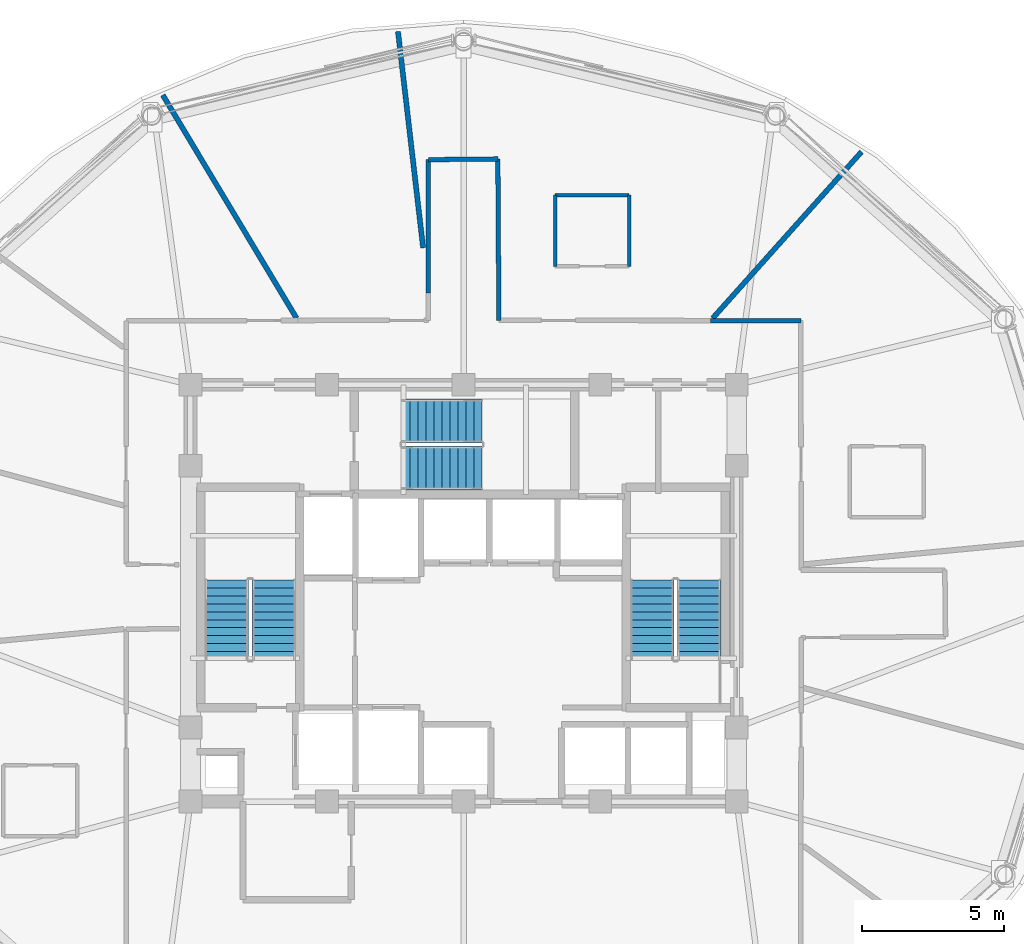
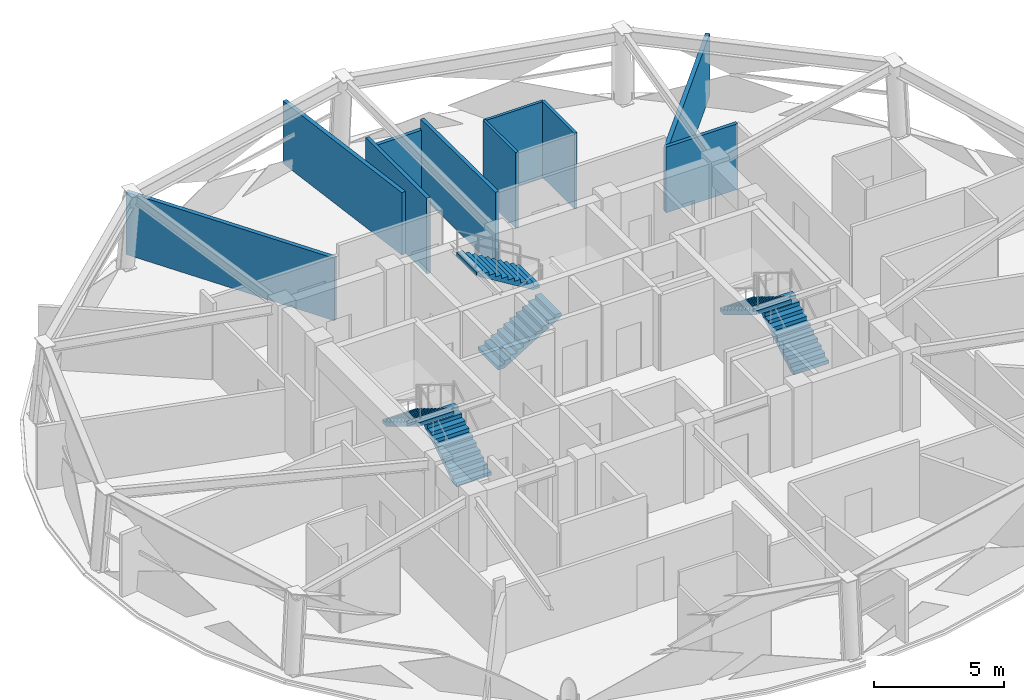
# One storey, part 7 of 11: 10 walls, 6 stair flights, 3 elements without a shape of their own.
"""IFC4 building model written with IfcOpenShell, lengths in metres."""

from ifc_helpers import new_model, si_unit, direction, frame, frame_2d, origin, place, context, subcontext, project, spatial, polyline, rectangle, outline, extrude, material, layer, layer_set, type_object, element, aggregate, save


model = new_model("IFC4")

# Units and contexts
model_context = context("Model", 3, precision=1e-05, world=origin(), true_north=direction((0.0, 1.0)))
body_context = subcontext(model_context, "Body", "Model", "MODEL_VIEW")
ifc_project = project(units=[si_unit("LENGTHUNIT", "METRE"), si_unit("AREAUNIT", "SQUARE_METRE"), si_unit("VOLUMEUNIT", "CUBIC_METRE"), si_unit("PLANEANGLEUNIT", "RADIAN"), si_unit("MASSUNIT", "GRAM", prefix="KILO")], contexts=[model_context])

# Site, building, storey
site_placement = place(None, origin())
site = spatial("IfcSite", under=ifc_project, at=site_placement, CompositionType="ELEMENT")
building_placement = place(site_placement, origin())
building = spatial("IfcBuilding", under=site, at=building_placement, Name="Vantalir Tower", CompositionType="ELEMENT")
storey_placement = place(building_placement, frame((0.0, 0.0, 231.14990234375)))
storey = spatial("IfcBuildingStorey", under=building, at=storey_placement, Name="L58", CompositionType="ELEMENT", Elevation=231.14990234375)

# Walls
ifc_material_1 = material(Name="Moisture-resistant en-suite partition", Category="gypsum")
ifc_layer_1 = layer(ifc_material_1, 0.125)
ifc_layer_set_1 = layer_set([ifc_layer_1], Name="Moisture-resistant en-suite partition")
wall_type_1 = type_object("IfcWallType", Name="WL-BATH-125", PredefinedType="PARTITIONING", material=ifc_layer_set_1)
wall_1_placement = place(storey_placement, frame((34.720947265625, 39.114990234375, 0.0), z_axis=(0.0, 0.0, 1.0), x_axis=(1.0, 0.0, 0.0)))
element("IfcWall", 1, at=wall_1_placement, inside=storey, type_object=wall_type_1, Name="L58 En-suite 02 North Wall", PredefinedType="PARTITIONING", context=body_context, shape_type="SweptSolid", body=[
    extrude(rectangle(XDim=2.60009765625, YDim=0.125, at=frame_2d((1.300048828125, 0.0))), origin(), (0.0, 0.0, 1.0), 3.550048828125),
])
for number, where, z_axis, x_axis, name in (
    (2, (34.720947265625, 36.614990234375, 0.0), (0.0, 0.0, 1.0), (0.0, 1.0, 0.0), "L58 En-suite 02 West Wall"),
    (3, (37.321044921875, 36.614990234375, 0.0), (0.0, 0.0, 1.0), (0.0, 1.0, 0.0), "L58 En-suite 02 East Wall"),
):
    element("IfcWall", number, at=place(storey_placement, frame(where, z_axis=z_axis, x_axis=x_axis)), inside=storey, type_object=wall_type_1, Name=name, PredefinedType="PARTITIONING", context=body_context, shape_type="SweptSolid", body=[
        extrude(rectangle(XDim=2.5, YDim=0.125, at=frame_2d((1.25, 0.0))), origin(), (0.0, 0.0, 1.0), 3.550048828125),
    ])
ifc_material_2 = material(Name="Fire-rated hotel corridor acoustic partition", Category="gypsum")
ifc_layer_2 = layer(ifc_material_2, 0.159912109375)
ifc_layer_set_2 = layer_set([ifc_layer_2], Name="Fire-rated hotel corridor acoustic partition")
wall_type_2 = type_object("IfcWallType", Name="WL-CORR-160", PredefinedType="PARTITIONING", material=ifc_layer_set_2)
wall_2_placement = place(storey_placement, frame((30.260986328125, 35.677978515625, 0.0), z_axis=(0.0, 0.0, 1.0), x_axis=(0.000417057622, 0.999999913031, 0.0)))
element("IfcWall", 4, at=wall_2_placement, inside=storey, type_object=wall_type_2, Name="L58 Corridor Partition 08", PredefinedType="PARTITIONING", context=body_context, shape_type="SweptSolid", body=[
    extrude(rectangle(XDim=4.68310546875, YDim=0.159912109375, at=frame_2d((2.341552734375, 0.0))), origin(), (0.0, 0.0, 1.0), 3.550048828125),
])
wall_3_placement = place(storey_placement, frame((30.262939453125, 40.361083984375, 0.0), z_axis=(0.0, 0.0, 1.0), x_axis=(0.999947973655, 0.01020048938, 0.0)))
element("IfcWall", 5, at=wall_3_placement, inside=storey, type_object=wall_type_2, Name="L58 Corridor Partition 09", PredefinedType="PARTITIONING", context=body_context, shape_type="SweptSolid", body=[
    extrude(rectangle(XDim=2.44140625, YDim=0.159912109375, at=frame_2d((1.220703125, 0.0))), origin(), (0.0, 0.0, 1.0), 3.0810546875),
])
wall_4_placement = place(storey_placement, frame((32.7041015625, 40.385986328125, 0.0), z_axis=(0.0, 0.0, 1.0), x_axis=(0.00632844224, -0.999979975209, 0.0)))
element("IfcWall", 6, at=wall_4_placement, inside=storey, type_object=wall_type_2, Name="L58 Corridor Partition 10", PredefinedType="PARTITIONING", context=body_context, shape_type="SweptSolid", body=[
    extrude(rectangle(XDim=5.6708984375, YDim=0.159912109375, at=frame_2d((2.83544921875, 0.0))), origin(), (0.0, 0.0, 1.0), 3.550048828125),
])
wall_5_placement = place(storey_placement, frame((40.180908203125, 34.70703125, 0.0), z_axis=(0.0, 0.0, 1.0), x_axis=(0.99999914405, -0.001308395709, 0.0)))
element("IfcWall", 7, at=wall_5_placement, inside=storey, type_object=wall_type_2, Name="L58 Corridor Partition 12", PredefinedType="PARTITIONING", context=body_context, shape_type="SweptSolid", body=[
    extrude(rectangle(XDim=3.172119140625, YDim=0.159912109375, at=frame_2d((1.5859375, 0.0))), origin(), (0.0, 0.0, 1.0), 3.0810546875),
])
ifc_material_3 = material(Name="Twin-stud acoustic fire-rated gypsum partition", Category="gypsum")
ifc_layer_3 = layer(ifc_material_3, 0.179931640625)
ifc_layer_set_3 = layer_set([ifc_layer_3], Name="Twin-stud acoustic fire-rated gypsum partition")
wall_type_3 = type_object("IfcWallType", Name="WL-GUEST-180", PredefinedType="PARTITIONING", material=ifc_layer_set_3)
wall_6_placement = place(storey_placement, frame((40.2548828125, 34.7900390625, 0.0), z_axis=(0.0, 0.0, 1.0), x_axis=(0.666714816624, 0.745312923069, 0.0)))
element("IfcWall", 8, at=wall_6_placement, inside=storey, type_object=wall_type_3, Name="L58 Radial Suite Partition 02", PredefinedType="PARTITIONING", context=body_context, shape_type="SweptSolid", body=[
    extrude(rectangle(XDim=7.84619140625, YDim=0.179931640625, at=frame_2d((3.923095703125, 0.0))), origin(), (0.0, 0.0, 1.0), 2.925048828125),
])
wall_7_placement = place(storey_placement, frame((30.076904296875, 37.261962890625, 0.0), z_axis=(0.0, 0.0, 1.0), x_axis=(-0.115323762026, 0.993327956876, 0.0)))
element("IfcWall", 9, at=wall_7_placement, inside=storey, type_object=wall_type_3, Name="L58 Radial Suite Partition 03", PredefinedType="PARTITIONING", context=body_context, shape_type="SweptSolid", body=[
    extrude(rectangle(XDim=7.655029296875, YDim=0.179931640625, at=frame_2d((3.82763671875, 0.0))), origin(), (0.0, 0.0, 1.0), 2.925048828125),
])
wall_8_placement = place(storey_placement, frame((25.62890625, 34.7900390625, 0.0), z_axis=(0.0, 0.0, 1.0), x_axis=(-0.514260176144, 0.85763422928, 0.0)))
element("IfcWall", 10, at=wall_8_placement, inside=storey, type_object=wall_type_3, Name="L58 Radial Suite Partition 04", PredefinedType="PARTITIONING", context=body_context, shape_type="SweptSolid", body=[
    extrude(rectangle(XDim=9.14501953125, YDim=0.179931640625, at=frame_2d((4.572509765625, 0.0))), origin(), (0.0, 0.0, 1.0), 2.925048828125),
])

# Stair, stair flights
ifc_material_4 = material(Name="Concrete C40/50", Category="concrete")
stair_type = type_object("IfcStairType", Name="STR-CORE-1450", PredefinedType="HALF_TURN_STAIR", material=ifc_material_4)
stair_1_placement = place(storey_placement, origin())
stair_1 = element("IfcStair", 11, at=stair_1_placement, inside=storey, type_object=stair_type, Name="L58 Core Exit Stair 1", PredefinedType="HALF_TURN_STAIR")
stair_flight_type = type_object("IfcStairFlightType", Name="FLT-CORE-1450", PredefinedType="STRAIGHT", material=ifc_material_4)
stair_flight_1_placement = place(storey_placement, frame((24.830078125, 22.7900390625, 0.0), z_axis=(0.0, 0.0, 1.0), x_axis=(0.0, 1.0, 0.0)))
stair_flight_1 = element("IfcStairFlight", 12, at=stair_flight_1_placement, type_object=stair_flight_type, Name="ST1 flight 1", NumberOfRisers=11, NumberOfTreads=10, PredefinedType="STRAIGHT", RiserHeight=0.170454545, TreadLength=0.28, context=body_context, shape_type="SweptSolid", body=[
    extrude(outline(polyline([(0.0, 0.0), (0.0, 0.17041015625), (0.280029296875, 0.17041015625), (0.280029296875, 0.3408203125), (0.56005859375, 0.3408203125), (0.56005859375, 0.511474609375), (0.840087890625, 0.511474609375), (0.840087890625, 0.681884765625), (1.1201171875, 0.681884765625), (1.1201171875, 0.852294921875), (1.39990234375, 0.852294921875), (1.39990234375, 1.022705078125), (1.679931640625, 1.022705078125), (1.679931640625, 1.193115234375), (1.9599609375, 1.193115234375), (1.9599609375, 1.363525390625), (2.239990234375, 1.363525390625), (2.239990234375, 1.5341796875), (2.52001953125, 1.5341796875), (2.52001953125, 1.70458984375), (2.800048828125, 1.70458984375), (2.800048828125, 1.875), (2.800048828125, 1.529052734375), (0.288330078125, 0.0), (0.0, 0.0)])), frame((0.0, 0.77001953125, 0.0), z_axis=(0.0, -1.0, 0.0), x_axis=(1.0, 0.0, 0.0)), (0.0, 0.0, 1.0), 1.5400390625),
])
stair_flight_2_placement = place(storey_placement, frame((23.169921875, 25.590087890625, 1.875), z_axis=(0.0, 0.0, 1.0), x_axis=(0.0, -1.0, 0.0)))
stair_flight_2 = element("IfcStairFlight", 13, at=stair_flight_2_placement, type_object=stair_flight_type, Name="ST1 flight 2", NumberOfRisers=11, NumberOfTreads=10, PredefinedType="STRAIGHT", RiserHeight=0.170454545, TreadLength=0.28, context=body_context, shape_type="SweptSolid", body=[
    extrude(outline(polyline([(0.0, 0.0), (0.0, 0.17041015625), (0.280029296875, 0.17041015625), (0.280029296875, 0.3408203125), (0.56005859375, 0.3408203125), (0.56005859375, 0.511474609375), (0.840087890625, 0.511474609375), (0.840087890625, 0.681884765625), (1.1201171875, 0.681884765625), (1.1201171875, 0.852294921875), (1.39990234375, 0.852294921875), (1.39990234375, 1.022705078125), (1.679931640625, 1.022705078125), (1.679931640625, 1.193115234375), (1.9599609375, 1.193115234375), (1.9599609375, 1.363525390625), (2.239990234375, 1.363525390625), (2.239990234375, 1.5341796875), (2.52001953125, 1.5341796875), (2.52001953125, 1.70458984375), (2.800048828125, 1.70458984375), (2.800048828125, 1.875), (2.800048828125, 1.529052734375), (0.288330078125, 0.0), (0.0, 0.0)])), frame((0.0, 0.77001953125, 0.0), z_axis=(0.0, -1.0, 0.0), x_axis=(1.0, 0.0, 0.0)), (0.0, 0.0, 1.0), 1.5400390625),
])
aggregate(stair_1, [stair_flight_1, stair_flight_2])

stair_2_placement = place(storey_placement, origin())
stair_2 = element("IfcStair", 14, at=stair_2_placement, inside=storey, type_object=stair_type, Name="L58 Core Exit Stair 2", PredefinedType="HALF_TURN_STAIR")
stair_flight_3_placement = place(storey_placement, frame((39.780029296875, 22.7900390625, 0.0), z_axis=(0.0, 0.0, 1.0), x_axis=(0.0, 1.0, 0.0)))
stair_flight_3 = element("IfcStairFlight", 15, at=stair_flight_3_placement, type_object=stair_flight_type, Name="ST2 flight 1", NumberOfRisers=11, NumberOfTreads=10, PredefinedType="STRAIGHT", RiserHeight=0.170454545, TreadLength=0.28, context=body_context, shape_type="SweptSolid", body=[
    extrude(outline(polyline([(0.0, 0.0), (0.0, 0.17041015625), (0.280029296875, 0.17041015625), (0.280029296875, 0.3408203125), (0.56005859375, 0.3408203125), (0.56005859375, 0.511474609375), (0.840087890625, 0.511474609375), (0.840087890625, 0.681884765625), (1.1201171875, 0.681884765625), (1.1201171875, 0.852294921875), (1.39990234375, 0.852294921875), (1.39990234375, 1.022705078125), (1.679931640625, 1.022705078125), (1.679931640625, 1.193115234375), (1.9599609375, 1.193115234375), (1.9599609375, 1.363525390625), (2.239990234375, 1.363525390625), (2.239990234375, 1.5341796875), (2.52001953125, 1.5341796875), (2.52001953125, 1.70458984375), (2.800048828125, 1.70458984375), (2.800048828125, 1.875), (2.800048828125, 1.529052734375), (0.288330078125, 0.0), (0.0, 0.0)])), frame((0.0, 0.77001953125, 0.0), z_axis=(0.0, -1.0, 0.0), x_axis=(1.0, 0.0, 0.0)), (0.0, 0.0, 1.0), 1.5400390625),
])
stair_flight_4_placement = place(storey_placement, frame((38.1201171875, 25.590087890625, 1.875), z_axis=(0.0, 0.0, 1.0), x_axis=(0.0, -1.0, 0.0)))
stair_flight_4 = element("IfcStairFlight", 16, at=stair_flight_4_placement, type_object=stair_flight_type, Name="ST2 flight 2", NumberOfRisers=11, NumberOfTreads=10, PredefinedType="STRAIGHT", RiserHeight=0.170454545, TreadLength=0.28, context=body_context, shape_type="SweptSolid", body=[
    extrude(outline(polyline([(0.0, 0.0), (0.0, 0.17041015625), (0.280029296875, 0.17041015625), (0.280029296875, 0.3408203125), (0.56005859375, 0.3408203125), (0.56005859375, 0.511474609375), (0.840087890625, 0.511474609375), (0.840087890625, 0.681884765625), (1.1201171875, 0.681884765625), (1.1201171875, 0.852294921875), (1.39990234375, 0.852294921875), (1.39990234375, 1.022705078125), (1.679931640625, 1.022705078125), (1.679931640625, 1.193115234375), (1.9599609375, 1.193115234375), (1.9599609375, 1.363525390625), (2.239990234375, 1.363525390625), (2.239990234375, 1.5341796875), (2.52001953125, 1.5341796875), (2.52001953125, 1.70458984375), (2.800048828125, 1.70458984375), (2.800048828125, 1.875), (2.800048828125, 1.529052734375), (0.288330078125, 0.0), (0.0, 0.0)])), frame((0.0, 0.77001953125, 0.0), z_axis=(0.0, -1.0, 0.0), x_axis=(1.0, 0.0, 0.0)), (0.0, 0.0, 1.0), 1.5400390625),
])
aggregate(stair_2, [stair_flight_3, stair_flight_4])

stair_3_placement = place(storey_placement, origin())
stair_3 = element("IfcStair", 17, at=stair_3_placement, inside=storey, type_object=stair_type, Name="L58 Core Exit Stair 3", PredefinedType="HALF_TURN_STAIR")
stair_flight_5_placement = place(storey_placement, frame((29.340087890625, 29.52001953125, 0.0), z_axis=(0.0, 0.0, 1.0), x_axis=(1.0, 0.0, 0.0)))
stair_flight_5 = element("IfcStairFlight", 18, at=stair_flight_5_placement, type_object=stair_flight_type, Name="ST3 flight 1", NumberOfRisers=11, NumberOfTreads=10, PredefinedType="STRAIGHT", RiserHeight=0.170454545, TreadLength=0.28, context=body_context, shape_type="SweptSolid", body=[
    extrude(outline(polyline([(0.0, 0.0), (0.0, 0.17041015625), (0.280029296875, 0.17041015625), (0.280029296875, 0.3408203125), (0.56005859375, 0.3408203125), (0.56005859375, 0.511474609375), (0.840087890625, 0.511474609375), (0.840087890625, 0.681884765625), (1.1201171875, 0.681884765625), (1.1201171875, 0.852294921875), (1.39990234375, 0.852294921875), (1.39990234375, 1.022705078125), (1.679931640625, 1.022705078125), (1.679931640625, 1.193115234375), (1.9599609375, 1.193115234375), (1.9599609375, 1.363525390625), (2.239990234375, 1.363525390625), (2.239990234375, 1.5341796875), (2.52001953125, 1.5341796875), (2.52001953125, 1.70458984375), (2.800048828125, 1.70458984375), (2.800048828125, 1.875), (2.800048828125, 1.529052734375), (0.288330078125, 0.0), (0.0, 0.0)])), frame((0.0, 0.77001953125, 0.0), z_axis=(0.0, -1.0, 0.0), x_axis=(1.0, 0.0, 0.0)), (0.0, 0.0, 1.0), 1.5400390625),
])
stair_flight_6_placement = place(storey_placement, frame((32.139892578125, 31.179931640625, 1.875), z_axis=(0.0, 0.0, 1.0), x_axis=(-1.0, 0.0, 0.0)))
stair_flight_6 = element("IfcStairFlight", 19, at=stair_flight_6_placement, type_object=stair_flight_type, Name="ST3 flight 2", NumberOfRisers=11, NumberOfTreads=10, PredefinedType="STRAIGHT", RiserHeight=0.170454545, TreadLength=0.28, context=body_context, shape_type="SweptSolid", body=[
    extrude(outline(polyline([(0.0, 0.0), (0.0, 0.17041015625), (0.280029296875, 0.17041015625), (0.280029296875, 0.3408203125), (0.56005859375, 0.3408203125), (0.56005859375, 0.511474609375), (0.840087890625, 0.511474609375), (0.840087890625, 0.681884765625), (1.1201171875, 0.681884765625), (1.1201171875, 0.852294921875), (1.39990234375, 0.852294921875), (1.39990234375, 1.022705078125), (1.679931640625, 1.022705078125), (1.679931640625, 1.193115234375), (1.9599609375, 1.193115234375), (1.9599609375, 1.363525390625), (2.239990234375, 1.363525390625), (2.239990234375, 1.5341796875), (2.52001953125, 1.5341796875), (2.52001953125, 1.70458984375), (2.800048828125, 1.70458984375), (2.800048828125, 1.875), (2.800048828125, 1.529052734375), (0.288330078125, 0.0), (0.0, 0.0)])), frame((0.0, 0.77001953125, 0.0), z_axis=(0.0, -1.0, 0.0), x_axis=(1.0, 0.0, 0.0)), (0.0, 0.0, 1.0), 1.5400390625),
])
aggregate(stair_3, [stair_flight_5, stair_flight_6])

save(model, "model.ifc")
